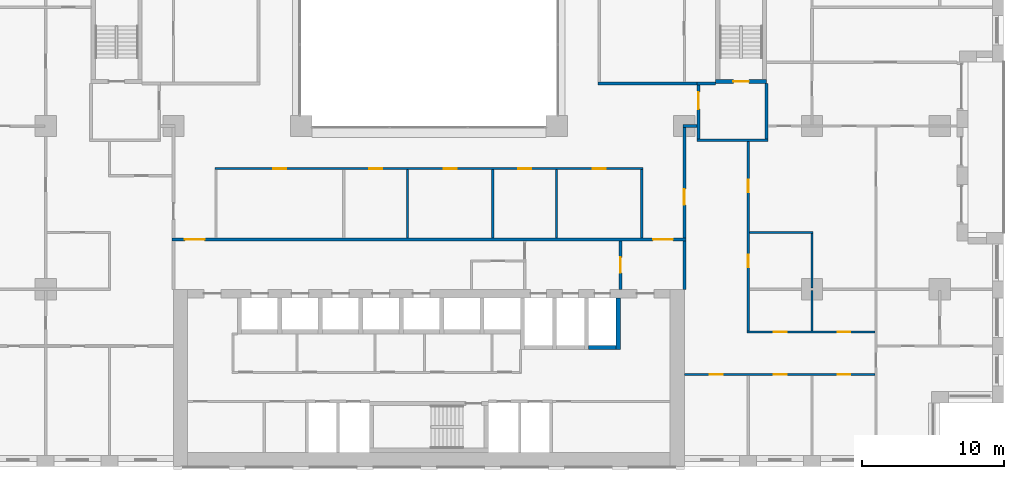
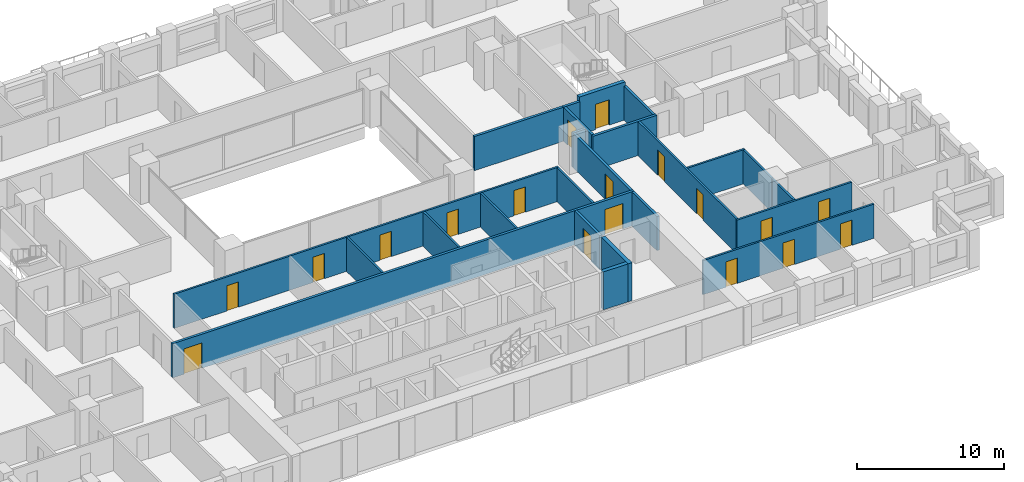
# One storey, part 12 of 21: 24 walls, 18 doors, 18 openings.
"""IFC4 building model written with IfcOpenShell, lengths in metres."""

from ifc_helpers import new_model, si_unit, direction, frame, frame_2d, origin, place, context, subcontext, project, spatial, rectangle, extrude, material, layer, layer_set, type_object, element, fill, save


model = new_model("IFC4")

# Units and contexts
model_context = context("Model", 3, precision=1e-05, world=origin(), true_north=direction((0.0, 1.0)))
body_context = subcontext(model_context, "Body", "Model", "MODEL_VIEW")
ifc_project = project(units=[si_unit("LENGTHUNIT", "METRE"), si_unit("AREAUNIT", "SQUARE_METRE"), si_unit("VOLUMEUNIT", "CUBIC_METRE"), si_unit("PLANEANGLEUNIT", "RADIAN"), si_unit("MASSUNIT", "GRAM", prefix="KILO")], contexts=[model_context])

# Site, building, storey
site_placement = place(None, origin())
site = spatial("IfcSite", under=ifc_project, at=site_placement, CompositionType="ELEMENT")
building_placement = place(site_placement, origin())
building = spatial("IfcBuilding", under=site, at=building_placement, Name="Brigalow Station Residences", CompositionType="ELEMENT")
storey_placement = place(building_placement, frame((0.0, 0.0, 47.85009765625)))
storey = spatial("IfcBuildingStorey", under=building, at=storey_placement, Name="L13", CompositionType="ELEMENT", Elevation=47.85009765625)

# Walls
ifc_material_1 = material(Name="Concrete C80", Category="concrete")
ifc_layer_1 = layer(ifc_material_1, 0.300048828125)
ifc_layer_set_1 = layer_set([ifc_layer_1], Name="CORE SHEAR WALL 300 C80")
wall_type_1 = type_object("IfcWallType", Name="CORE SHEAR WALL 300 C80", PredefinedType="SHEAR", material=ifc_layer_set_1)
wall_1_placement = place(storey_placement, frame((47.25, 8.39990234375, 0.0), z_axis=(0.0, 0.0, 1.0), x_axis=(1.0, 0.0, 0.0)))
element("IfcWall", 1, at=wall_1_placement, inside=storey, type_object=wall_type_1, Name="CORE WALL SH-SL1-S L13", PredefinedType="SHEAR", context=body_context, shape_type="SweptSolid", body=[
    extrude(rectangle(XDim=1.949951171875, YDim=0.300048828125, at=frame_2d((0.97509765625, 0.0))), origin(), (0.0, 0.0, 1.0), 3.14990234375),
])
wall_2_placement = place(storey_placement, frame((49.35009765625, 8.25, 0.0), z_axis=(0.0, 0.0, 1.0), x_axis=(0.0, 1.0, 0.0)))
element("IfcWall", 2, at=wall_2_placement, inside=storey, type_object=wall_type_1, Name="CORE WALL SH-SL1-E L13", PredefinedType="SHEAR", context=body_context, shape_type="SweptSolid", body=[
    extrude(rectangle(XDim=3.64990234375, YDim=0.300048828125, at=frame_2d((1.824951171875, 0.0))), origin(), (0.0, 0.0, 1.0), 3.14990234375),
])

# Wall, opening, door
wall_3_placement = place(storey_placement, frame((56.199951171875, 27.14990234375, 0.0), z_axis=(0.0, 0.0, 1.0), x_axis=(1.0, 0.0, 0.0)))
wall_3 = element("IfcWall", 3, at=wall_3_placement, inside=storey, type_object=wall_type_1, Name="CORE WALL ST-S3-S L13", PredefinedType="SHEAR", context=body_context, shape_type="SweptSolid", body=[
    extrude(rectangle(XDim=3.60009765625, YDim=0.300048828125, at=frame_2d((1.800048828125, 0.0))), origin(), (0.0, 0.0, 1.0), 3.14990234375),
])
opening_1_placement = place(wall_3_placement, frame((1.25, 0.0, 0.0)))
opening_1 = element("IfcOpeningElement", 4, at=opening_1_placement, cuts=wall_3, Name="Opening D-5018", PredefinedType="OPENING", context=body_context, shape_type="SweptSolid", body=[
    extrude(rectangle(XDim=1.10009765625, YDim=2.10009765625, at=frame_2d((0.550048828125, 1.050048828125))), frame((0.0, 0.16015625, 0.0), z_axis=(0.0, -1.0, 0.0), x_axis=(1.0, 0.0, 0.0)), (0.0, 0.0, 1.0), 0.320068359375),
])
ifc_material_2 = material(Name="Steel fire door leaf in steel frame", Category="steel")
door_type_1 = type_object("IfcDoorType", Name="STAIR DOOR 1100 x 2100 FD60S", OperationType="SINGLE_SWING_LEFT", PredefinedType="DOOR", material=ifc_material_2)
door_1_placement = place(opening_1_placement, origin())
door_1 = element("IfcDoor", 5, at=door_1_placement, inside=storey, type_object=door_type_1, Name="D-5018", OperationType="SINGLE_SWING_LEFT", OverallHeight=2.10009765625, OverallWidth=1.10009765625, PredefinedType="DOOR", context=body_context, shape_type="SweptSolid", body=[
    extrude(rectangle(XDim=1.10009765625, YDim=2.10009765625, at=frame_2d((0.550048828125, 1.050048828125))), frame((0.0, 0.02490234375, 0.0), z_axis=(0.0, -1.0, 0.0), x_axis=(1.0, 0.0, 0.0)), (0.0, 0.0, 1.0), 0.050048828125),
])
fill(opening_1, door_1)

# Walls
ifc_material_3 = material(Name="Concrete blockwork", Category="masonry")
ifc_layer_2 = layer(ifc_material_3, 0.199951171875)
ifc_layer_set_2 = layer_set([ifc_layer_2], Name="FIRE RATED CORE PARTITION 200")
wall_type_2 = type_object("IfcWallType", Name="FIRE RATED CORE PARTITION 200", PredefinedType="PARTITIONING", material=ifc_layer_set_2)
wall_4_placement = place(storey_placement, frame((54.89990234375, 23.0, 0.0), z_axis=(0.0, 0.0, 1.0), x_axis=(1.0, 0.0, 0.0)))
element("IfcWall", 6, at=wall_4_placement, inside=storey, type_object=wall_type_2, Name="PW-5024", PredefinedType="PARTITIONING", context=body_context, shape_type="SweptSolid", body=[
    extrude(rectangle(XDim=5.0, YDim=0.199951171875, at=frame_2d((2.5, 0.0))), origin(), (0.0, 0.0, 1.0), 2.829833984375),
])
wall_5_placement = place(storey_placement, frame((54.89990234375, 27.0, 0.0), z_axis=(0.0, 0.0, 1.0), x_axis=(1.0, 0.0, 0.0)))
element("IfcWall", 7, at=wall_5_placement, inside=storey, type_object=wall_type_2, Name="PW-5026", PredefinedType="PARTITIONING", context=body_context, shape_type="SweptSolid", body=[
    extrude(rectangle(XDim=1.300048828125, YDim=0.199951171875, at=frame_2d((0.64990234375, 0.0))), origin(), (0.0, 0.0, 1.0), 2.829833984375),
])

# Wall, opening, door
wall_6_placement = place(storey_placement, frame((49.5, 12.5, 0.0), z_axis=(0.0, 0.0, 1.0), x_axis=(0.0, 1.0, 0.0)))
wall_6 = element("IfcWall", 8, at=wall_6_placement, inside=storey, type_object=wall_type_2, Name="PW-5015", PredefinedType="PARTITIONING", context=body_context, shape_type="SweptSolid", body=[
    extrude(rectangle(XDim=3.39990234375, YDim=0.199951171875, at=frame_2d((1.699951171875, 0.0))), origin(), (0.0, 0.0, 1.0), 2.829833984375),
])
opening_2_placement = place(wall_6_placement, frame((1.14990234375, 0.0, 0.0)))
opening_2 = element("IfcOpeningElement", 9, at=opening_2_placement, cuts=wall_6, Name="Opening D-5014", PredefinedType="OPENING", context=body_context, shape_type="SweptSolid", body=[
    extrude(rectangle(XDim=1.10009765625, YDim=2.10009765625, at=frame_2d((0.550048828125, 1.050048828125))), frame((0.0, 0.10986328125, 0.0), z_axis=(0.0, -1.0, 0.0), x_axis=(1.0, 0.0, 0.0)), (0.0, 0.0, 1.0), 0.219970703125),
])
ifc_material_4 = material(Name="Steel fire door leaf in steel frame", Category="steel")
door_type_2 = type_object("IfcDoorType", Name="LOBBY DOOR 1100 x 2100 FD60S", OperationType="SINGLE_SWING_LEFT", PredefinedType="DOOR", material=ifc_material_4)
door_2_placement = place(opening_2_placement, origin())
door_2 = element("IfcDoor", 10, at=door_2_placement, inside=storey, type_object=door_type_2, Name="D-5014", OperationType="SINGLE_SWING_LEFT", OverallHeight=2.10009765625, OverallWidth=1.10009765625, PredefinedType="DOOR", context=body_context, shape_type="SweptSolid", body=[
    extrude(rectangle(XDim=1.10009765625, YDim=2.10009765625, at=frame_2d((0.550048828125, 1.050048828125))), frame((0.0, 0.02490234375, 0.0), z_axis=(0.0, -1.0, 0.0), x_axis=(1.0, 0.0, 0.0)), (0.0, 0.0, 1.0), 0.050048828125),
])
fill(opening_2, door_2)

# Wall
wall_7_placement = place(storey_placement, frame((54.0, 12.5, 0.0), z_axis=(0.0, 0.0, 1.0), x_axis=(0.0, 1.0, 0.0)))
element("IfcWall", 11, at=wall_7_placement, inside=storey, type_object=wall_type_2, Name="PW-5016", PredefinedType="PARTITIONING", context=body_context, shape_type="SweptSolid", body=[
    extrude(rectangle(XDim=3.39990234375, YDim=0.199951171875, at=frame_2d((1.699951171875, 0.0))), origin(), (0.0, 0.0, 1.0), 2.829833984375),
])

# Wall, opening, door
wall_8_placement = place(storey_placement, frame((55.0, 23.10009765625, 0.0), z_axis=(0.0, 0.0, 1.0), x_axis=(0.0, 1.0, 0.0)))
wall_8 = element("IfcWall", 12, at=wall_8_placement, inside=storey, type_object=wall_type_2, Name="PW-5036", PredefinedType="PARTITIONING", context=body_context, shape_type="SweptSolid", body=[
    extrude(rectangle(XDim=3.7998046875, YDim=0.199951171875, at=frame_2d((1.89990234375, 0.0))), origin(), (0.0, 0.0, 1.0), 2.829833984375),
])
opening_3_placement = place(wall_8_placement, frame((2.10009765625, 0.0, 0.0)))
opening_3 = element("IfcOpeningElement", 13, at=opening_3_placement, cuts=wall_8, Name="Opening D-5019", PredefinedType="OPENING", context=body_context, shape_type="SweptSolid", body=[
    extrude(rectangle(XDim=1.199951171875, YDim=2.10009765625, at=frame_2d((0.60009765625, 1.050048828125))), frame((0.0, 0.10986328125, 0.0), z_axis=(0.0, -1.0, 0.0), x_axis=(1.0, 0.0, 0.0)), (0.0, 0.0, 1.0), 0.219970703125),
])
ifc_material_5 = material(Name="Steel fire door leaf in steel frame", Category="steel")
door_type_3 = type_object("IfcDoorType", Name="STAIR LOBBY DOOR 1200 x 2100 FD60S", OperationType="SINGLE_SWING_LEFT", PredefinedType="DOOR", material=ifc_material_5)
door_3_placement = place(opening_3_placement, frame((1.199951171875, 0.0, 0.0), z_axis=(0.0, 0.0, 1.0), x_axis=(-1.0, 0.0, 0.0)))
door_3 = element("IfcDoor", 14, at=door_3_placement, inside=storey, type_object=door_type_3, Name="D-5019", OperationType="SINGLE_SWING_LEFT", OverallHeight=2.10009765625, OverallWidth=1.199951171875, PredefinedType="DOOR", context=body_context, shape_type="SweptSolid", body=[
    extrude(rectangle(XDim=1.199951171875, YDim=2.10009765625, at=frame_2d((0.60009765625, 1.050048828125))), frame((0.0, 0.02490234375, 0.0), z_axis=(0.0, -1.0, 0.0), x_axis=(1.0, 0.0, 0.0)), (0.0, 0.0, 1.0), 0.050048828125),
])
fill(opening_3, door_3)

# Wall
wall_9_placement = place(storey_placement, frame((59.800048828125, 23.10009765625, 0.0), z_axis=(0.0, 0.0, 1.0), x_axis=(0.0, 1.0, 0.0)))
element("IfcWall", 15, at=wall_9_placement, inside=storey, type_object=wall_type_2, Name="PW-5037", PredefinedType="PARTITIONING", context=body_context, shape_type="SweptSolid", body=[
    extrude(rectangle(XDim=3.89990234375, YDim=0.199951171875, at=frame_2d((1.949951171875, 0.0))), origin(), (0.0, 0.0, 1.0), 2.829833984375),
])

# Wall, openings, doors
ifc_material_6 = material(Name="Plasterboard on steel stud partition", Category="steel")
ifc_layer_3 = layer(ifc_material_6, 0.14990234375)
ifc_layer_set_3 = layer_set([ifc_layer_3], Name="FLAT PARTITION 150")
wall_type_3 = type_object("IfcWallType", Name="FLAT PARTITION 150", PredefinedType="PARTITIONING", material=ifc_layer_set_3)
wall_10_placement = place(storey_placement, frame((20.925048828125, 21.0, 0.0), z_axis=(0.0, 0.0, 1.0), x_axis=(1.0, 0.0, 0.0)))
wall_10 = element("IfcWall", 16, at=wall_10_placement, inside=storey, type_object=wall_type_3, Name="PW-1D01", PredefinedType="PARTITIONING", context=body_context, shape_type="SweptSolid", body=[
    extrude(rectangle(XDim=30.14990234375, YDim=0.14990234375, at=frame_2d((15.074951171875, 0.0))), origin(), (0.0, 0.0, 1.0), 2.829833984375),
])
opening_4_placement = place(wall_10_placement, frame((4.125, 0.0, 0.0)))
opening_4 = element("IfcOpeningElement", 17, at=opening_4_placement, cuts=wall_10, Name="Opening D-1D67", PredefinedType="OPENING", context=body_context, shape_type="SweptSolid", body=[
    extrude(rectangle(XDim=0.89990234375, YDim=2.10009765625, at=frame_2d((0.449951171875, 1.050048828125))), frame((0.0, 0.0849609375, 0.0), z_axis=(0.0, -1.0, 0.0), x_axis=(1.0, 0.0, 0.0)), (0.0, 0.0, 1.0), 0.169921875),
])
opening_5_placement = place(wall_10_placement, frame((10.875, 0.0, 0.0)))
opening_5 = element("IfcOpeningElement", 18, at=opening_5_placement, cuts=wall_10, Name="Opening D-1D68", PredefinedType="OPENING", context=body_context, shape_type="SweptSolid", body=[
    extrude(rectangle(XDim=0.89990234375, YDim=2.10009765625, at=frame_2d((0.449951171875, 1.050048828125))), frame((0.0, 0.0849609375, 0.0), z_axis=(0.0, -1.0, 0.0), x_axis=(1.0, 0.0, 0.0)), (0.0, 0.0, 1.0), 0.169921875),
])
opening_6_placement = place(wall_10_placement, frame((16.125, 0.0, 0.0)))
opening_6 = element("IfcOpeningElement", 19, at=opening_6_placement, cuts=wall_10, Name="Opening D-1D69", PredefinedType="OPENING", context=body_context, shape_type="SweptSolid", body=[
    extrude(rectangle(XDim=0.89990234375, YDim=2.10009765625, at=frame_2d((0.449951171875, 1.050048828125))), frame((0.0, 0.0849609375, 0.0), z_axis=(0.0, -1.0, 0.0), x_axis=(1.0, 0.0, 0.0)), (0.0, 0.0, 1.0), 0.169921875),
])
opening_7_placement = place(wall_10_placement, frame((21.375, 0.0, 0.0)))
opening_7 = element("IfcOpeningElement", 20, at=opening_7_placement, cuts=wall_10, Name="Opening D-1D70", PredefinedType="OPENING", context=body_context, shape_type="SweptSolid", body=[
    extrude(rectangle(XDim=0.89990234375, YDim=2.10009765625, at=frame_2d((0.449951171875, 1.050048828125))), frame((0.0, 0.0849609375, 0.0), z_axis=(0.0, -1.0, 0.0), x_axis=(1.0, 0.0, 0.0)), (0.0, 0.0, 1.0), 0.169921875),
])
opening_8_placement = place(wall_10_placement, frame((26.625, 0.0, 0.0)))
opening_8 = element("IfcOpeningElement", 21, at=opening_8_placement, cuts=wall_10, Name="Opening D-1D71", PredefinedType="OPENING", context=body_context, shape_type="SweptSolid", body=[
    extrude(rectangle(XDim=0.89990234375, YDim=2.10009765625, at=frame_2d((0.449951171875, 1.050048828125))), frame((0.0, 0.0849609375, 0.0), z_axis=(0.0, -1.0, 0.0), x_axis=(1.0, 0.0, 0.0)), (0.0, 0.0, 1.0), 0.169921875),
])
ifc_material_7 = material(Name="Solid-core timber door leaf", Category="wood")
door_type_4 = type_object("IfcDoorType", Name="INTERNAL DOOR 900 x 2100", OperationType="SINGLE_SWING_LEFT", PredefinedType="DOOR", material=ifc_material_7)
door_4_placement = place(opening_4_placement, frame((0.89990234375, 0.0, 0.0), z_axis=(0.0, 0.0, 1.0), x_axis=(-1.0, 0.0, 0.0)))
door_4 = element("IfcDoor", 22, at=door_4_placement, inside=storey, type_object=door_type_4, Name="D-1D67", OperationType="SINGLE_SWING_LEFT", OverallHeight=2.10009765625, OverallWidth=0.89990234375, PredefinedType="DOOR", context=body_context, shape_type="SweptSolid", body=[
    extrude(rectangle(XDim=0.89990234375, YDim=2.10009765625, at=frame_2d((0.449951171875, 1.050048828125))), frame((0.0, 0.02490234375, 0.0), z_axis=(0.0, -1.0, 0.0), x_axis=(1.0, 0.0, 0.0)), (0.0, 0.0, 1.0), 0.050048828125),
])
fill(opening_4, door_4)
door_5_placement = place(opening_5_placement, frame((0.89990234375, 0.0, 0.0), z_axis=(0.0, 0.0, 1.0), x_axis=(-1.0, 0.0, 0.0)))
door_5 = element("IfcDoor", 23, at=door_5_placement, inside=storey, type_object=door_type_4, Name="D-1D68", OperationType="SINGLE_SWING_LEFT", OverallHeight=2.10009765625, OverallWidth=0.89990234375, PredefinedType="DOOR", context=body_context, shape_type="SweptSolid", body=[
    extrude(rectangle(XDim=0.89990234375, YDim=2.10009765625, at=frame_2d((0.449951171875, 1.050048828125))), frame((0.0, 0.02490234375, 0.0), z_axis=(0.0, -1.0, 0.0), x_axis=(1.0, 0.0, 0.0)), (0.0, 0.0, 1.0), 0.050048828125),
])
fill(opening_5, door_5)
door_6_placement = place(opening_6_placement, frame((0.89990234375, 0.0, 0.0), z_axis=(0.0, 0.0, 1.0), x_axis=(-1.0, 0.0, 0.0)))
door_6 = element("IfcDoor", 24, at=door_6_placement, inside=storey, type_object=door_type_4, Name="D-1D69", OperationType="SINGLE_SWING_RIGHT", OverallHeight=2.10009765625, OverallWidth=0.89990234375, PredefinedType="DOOR", context=body_context, shape_type="SweptSolid", body=[
    extrude(rectangle(XDim=0.89990234375, YDim=2.10009765625, at=frame_2d((0.449951171875, 1.050048828125))), frame((0.0, 0.02490234375, 0.0), z_axis=(0.0, -1.0, 0.0), x_axis=(1.0, 0.0, 0.0)), (0.0, 0.0, 1.0), 0.050048828125),
])
fill(opening_6, door_6)
door_7_placement = place(opening_7_placement, frame((0.89990234375, 0.0, 0.0), z_axis=(0.0, 0.0, 1.0), x_axis=(-1.0, 0.0, 0.0)))
door_7 = element("IfcDoor", 25, at=door_7_placement, inside=storey, type_object=door_type_4, Name="D-1D70", OperationType="SINGLE_SWING_LEFT", OverallHeight=2.10009765625, OverallWidth=0.89990234375, PredefinedType="DOOR", context=body_context, shape_type="SweptSolid", body=[
    extrude(rectangle(XDim=0.89990234375, YDim=2.10009765625, at=frame_2d((0.449951171875, 1.050048828125))), frame((0.0, 0.02490234375, 0.0), z_axis=(0.0, -1.0, 0.0), x_axis=(1.0, 0.0, 0.0)), (0.0, 0.0, 1.0), 0.050048828125),
])
fill(opening_7, door_7)
door_8_placement = place(opening_8_placement, frame((0.89990234375, 0.0, 0.0), z_axis=(0.0, 0.0, 1.0), x_axis=(-1.0, 0.0, 0.0)))
door_8 = element("IfcDoor", 26, at=door_8_placement, inside=storey, type_object=door_type_4, Name="D-1D71", OperationType="SINGLE_SWING_LEFT", OverallHeight=2.10009765625, OverallWidth=0.89990234375, PredefinedType="DOOR", context=body_context, shape_type="SweptSolid", body=[
    extrude(rectangle(XDim=0.89990234375, YDim=2.10009765625, at=frame_2d((0.449951171875, 1.050048828125))), frame((0.0, 0.02490234375, 0.0), z_axis=(0.0, -1.0, 0.0), x_axis=(1.0, 0.0, 0.0)), (0.0, 0.0, 1.0), 0.050048828125),
])
fill(opening_8, door_8)

# Wall
wall_11_placement = place(storey_placement, frame((58.574951171875, 16.5, 0.0), z_axis=(0.0, 0.0, 1.0), x_axis=(1.0, 0.0, 0.0)))
element("IfcWall", 27, at=wall_11_placement, inside=storey, type_object=wall_type_3, Name="PW-1D17", PredefinedType="PARTITIONING", context=body_context, shape_type="SweptSolid", body=[
    extrude(rectangle(XDim=4.5, YDim=0.14990234375, at=frame_2d((2.25, 0.0))), origin(), (0.0, 0.0, 1.0), 2.829833984375),
])

# Wall, openings, doors
wall_12_placement = place(storey_placement, frame((54.0, 6.5, 0.0), z_axis=(0.0, 0.0, 1.0), x_axis=(1.0, 0.0, 0.0)))
wall_12 = element("IfcWall", 28, at=wall_12_placement, inside=storey, type_object=wall_type_3, Name="PW-1D33", PredefinedType="PARTITIONING", context=body_context, shape_type="SweptSolid", body=[
    extrude(rectangle(XDim=13.425048828125, YDim=0.14990234375, at=frame_2d((6.71240234375, 0.0))), origin(), (0.0, 0.0, 1.0), 2.829833984375),
])
opening_9_placement = place(wall_12_placement, frame((1.800048828125, 0.0, 0.0)))
opening_9 = element("IfcOpeningElement", 29, at=opening_9_placement, cuts=wall_12, Name="Opening D-1D50", PredefinedType="OPENING", context=body_context, shape_type="SweptSolid", body=[
    extrude(rectangle(XDim=0.89990234375, YDim=2.10009765625, at=frame_2d((0.449951171875, 1.050048828125))), frame((0.0, 0.0849609375, 0.0), z_axis=(0.0, -1.0, 0.0), x_axis=(1.0, 0.0, 0.0)), (0.0, 0.0, 1.0), 0.169921875),
])
opening_10_placement = place(wall_12_placement, frame((6.300048828125, 0.0, 0.0)))
opening_10 = element("IfcOpeningElement", 30, at=opening_10_placement, cuts=wall_12, Name="Opening D-1D51", PredefinedType="OPENING", context=body_context, shape_type="SweptSolid", body=[
    extrude(rectangle(XDim=0.89990234375, YDim=2.10009765625, at=frame_2d((0.449951171875, 1.050048828125))), frame((0.0, 0.0849609375, 0.0), z_axis=(0.0, -1.0, 0.0), x_axis=(1.0, 0.0, 0.0)), (0.0, 0.0, 1.0), 0.169921875),
])
opening_11_placement = place(wall_12_placement, frame((10.800048828125, 0.0, 0.0)))
opening_11 = element("IfcOpeningElement", 31, at=opening_11_placement, cuts=wall_12, Name="Opening D-1D52", PredefinedType="OPENING", context=body_context, shape_type="SweptSolid", body=[
    extrude(rectangle(XDim=0.89990234375, YDim=2.10009765625, at=frame_2d((0.449951171875, 1.050048828125))), frame((0.0, 0.0849609375, 0.0), z_axis=(0.0, -1.0, 0.0), x_axis=(1.0, 0.0, 0.0)), (0.0, 0.0, 1.0), 0.169921875),
])
door_9_placement = place(opening_9_placement, frame((0.89990234375, 0.0, 0.0), z_axis=(0.0, 0.0, 1.0), x_axis=(-1.0, 0.0, 0.0)))
door_9 = element("IfcDoor", 32, at=door_9_placement, inside=storey, type_object=door_type_4, Name="D-1D50", OperationType="SINGLE_SWING_LEFT", OverallHeight=2.10009765625, OverallWidth=0.89990234375, PredefinedType="DOOR", context=body_context, shape_type="SweptSolid", body=[
    extrude(rectangle(XDim=0.89990234375, YDim=2.10009765625, at=frame_2d((0.449951171875, 1.050048828125))), frame((0.0, 0.02490234375, 0.0), z_axis=(0.0, -1.0, 0.0), x_axis=(1.0, 0.0, 0.0)), (0.0, 0.0, 1.0), 0.050048828125),
])
fill(opening_9, door_9)
door_10_placement = place(opening_10_placement, frame((0.89990234375, 0.0, 0.0), z_axis=(0.0, 0.0, 1.0), x_axis=(-1.0, 0.0, 0.0)))
door_10 = element("IfcDoor", 33, at=door_10_placement, inside=storey, type_object=door_type_4, Name="D-1D51", OperationType="SINGLE_SWING_LEFT", OverallHeight=2.10009765625, OverallWidth=0.89990234375, PredefinedType="DOOR", context=body_context, shape_type="SweptSolid", body=[
    extrude(rectangle(XDim=0.89990234375, YDim=2.10009765625, at=frame_2d((0.449951171875, 1.050048828125))), frame((0.0, 0.02490234375, 0.0), z_axis=(0.0, -1.0, 0.0), x_axis=(1.0, 0.0, 0.0)), (0.0, 0.0, 1.0), 0.050048828125),
])
fill(opening_10, door_10)
door_11_placement = place(opening_11_placement, frame((0.89990234375, 0.0, 0.0), z_axis=(0.0, 0.0, 1.0), x_axis=(-1.0, 0.0, 0.0)))
door_11 = element("IfcDoor", 34, at=door_11_placement, inside=storey, type_object=door_type_4, Name="D-1D52", OperationType="SINGLE_SWING_LEFT", OverallHeight=2.10009765625, OverallWidth=0.89990234375, PredefinedType="DOOR", context=body_context, shape_type="SweptSolid", body=[
    extrude(rectangle(XDim=0.89990234375, YDim=2.10009765625, at=frame_2d((0.449951171875, 1.050048828125))), frame((0.0, 0.02490234375, 0.0), z_axis=(0.0, -1.0, 0.0), x_axis=(1.0, 0.0, 0.0)), (0.0, 0.0, 1.0), 0.050048828125),
])
fill(opening_11, door_11)

wall_13_placement = place(storey_placement, frame((58.425048828125, 9.5, 0.0), z_axis=(0.0, 0.0, 1.0), x_axis=(1.0, 0.0, 0.0)))
wall_13 = element("IfcWall", 35, at=wall_13_placement, inside=storey, type_object=wall_type_3, Name="PW-1D34", PredefinedType="PARTITIONING", context=body_context, shape_type="SweptSolid", body=[
    extrude(rectangle(XDim=9.0, YDim=0.14990234375, at=frame_2d((4.5, 0.0))), origin(), (0.0, 0.0, 1.0), 2.829833984375),
])
opening_12_placement = place(wall_13_placement, frame((6.375, 0.0, 0.0)))
opening_12 = element("IfcOpeningElement", 36, at=opening_12_placement, cuts=wall_13, Name="Opening D-1D60", PredefinedType="OPENING", context=body_context, shape_type="SweptSolid", body=[
    extrude(rectangle(XDim=0.89990234375, YDim=2.10009765625, at=frame_2d((0.449951171875, 1.050048828125))), frame((0.0, 0.0849609375, 0.0), z_axis=(0.0, -1.0, 0.0), x_axis=(1.0, 0.0, 0.0)), (0.0, 0.0, 1.0), 0.169921875),
])
opening_13_placement = place(wall_13_placement, frame((1.875, 0.0, 0.0)))
opening_13 = element("IfcOpeningElement", 37, at=opening_13_placement, cuts=wall_13, Name="Opening D-1D62", PredefinedType="OPENING", context=body_context, shape_type="SweptSolid", body=[
    extrude(rectangle(XDim=0.89990234375, YDim=2.10009765625, at=frame_2d((0.449951171875, 1.050048828125))), frame((0.0, 0.0849609375, 0.0), z_axis=(0.0, -1.0, 0.0), x_axis=(1.0, 0.0, 0.0)), (0.0, 0.0, 1.0), 0.169921875),
])
door_12_placement = place(opening_12_placement, origin())
door_12 = element("IfcDoor", 38, at=door_12_placement, inside=storey, type_object=door_type_4, Name="D-1D60", OperationType="SINGLE_SWING_RIGHT", OverallHeight=2.10009765625, OverallWidth=0.89990234375, PredefinedType="DOOR", context=body_context, shape_type="SweptSolid", body=[
    extrude(rectangle(XDim=0.89990234375, YDim=2.10009765625, at=frame_2d((0.449951171875, 1.050048828125))), frame((0.0, 0.02490234375, 0.0), z_axis=(0.0, -1.0, 0.0), x_axis=(1.0, 0.0, 0.0)), (0.0, 0.0, 1.0), 0.050048828125),
])
fill(opening_12, door_12)
door_13_placement = place(opening_13_placement, origin())
door_13 = element("IfcDoor", 39, at=door_13_placement, inside=storey, type_object=door_type_4, Name="D-1D62", OperationType="SINGLE_SWING_RIGHT", OverallHeight=2.10009765625, OverallWidth=0.89990234375, PredefinedType="DOOR", context=body_context, shape_type="SweptSolid", body=[
    extrude(rectangle(XDim=0.89990234375, YDim=2.10009765625, at=frame_2d((0.449951171875, 1.050048828125))), frame((0.0, 0.02490234375, 0.0), z_axis=(0.0, -1.0, 0.0), x_axis=(1.0, 0.0, 0.0)), (0.0, 0.0, 1.0), 0.050048828125),
])
fill(opening_13, door_13)

# Walls
for number, where, z_axis, x_axis, name in (
    (40, (51.0, 16.10009765625, 0.0), (0.0, 0.0, 1.0), (0.0, 1.0, 0.0), "PW-1D43"),
    (41, (40.5, 16.10009765625, 0.0), (0.0, 0.0, 1.0), (0.0, 1.0, 0.0), "PW-1D63"),
    (42, (45.0, 16.10009765625, 0.0), (0.0, 0.0, 1.0), (0.0, 1.0, 0.0), "PW-1D65"),
):
    element("IfcWall", number, at=place(storey_placement, frame(where, z_axis=z_axis, x_axis=x_axis)), inside=storey, type_object=wall_type_3, Name=name, PredefinedType="PARTITIONING", context=body_context, shape_type="SweptSolid", body=[
        extrude(rectangle(XDim=4.824951171875, YDim=0.14990234375, at=frame_2d((2.41259765625, 0.0))), origin(), (0.0, 0.0, 1.0), 2.829833984375),
    ])
wall_14_placement = place(storey_placement, frame((63.0, 9.574951171875, 0.0), z_axis=(0.0, 0.0, 1.0), x_axis=(0.0, 1.0, 0.0)))
element("IfcWall", 43, at=wall_14_placement, inside=storey, type_object=wall_type_3, Name="PW-1D68", PredefinedType="PARTITIONING", context=body_context, shape_type="SweptSolid", body=[
    extrude(rectangle(XDim=2.85009765625, YDim=0.14990234375, at=frame_2d((1.425048828125, 0.0))), origin(), (0.0, 0.0, 1.0), 2.829833984375),
])
wall_15_placement = place(storey_placement, frame((63.0, 12.574951171875, 0.0), z_axis=(0.0, 0.0, 1.0), x_axis=(0.0, 1.0, 0.0)))
element("IfcWall", 44, at=wall_15_placement, inside=storey, type_object=wall_type_3, Name="PW-1D69", PredefinedType="PARTITIONING", context=body_context, shape_type="SweptSolid", body=[
    extrude(rectangle(XDim=3.85009765625, YDim=0.14990234375, at=frame_2d((1.925048828125, 0.0))), origin(), (0.0, 0.0, 1.0), 2.829833984375),
])

# Wall, openings, doors
wall_16_placement = place(storey_placement, frame((58.5, 9.574951171875, 0.0), z_axis=(0.0, 0.0, 1.0), x_axis=(0.0, 1.0, 0.0)))
wall_16 = element("IfcWall", 45, at=wall_16_placement, inside=storey, type_object=wall_type_3, Name="PW-1D83", PredefinedType="PARTITIONING", context=body_context, shape_type="SweptSolid", body=[
    extrude(rectangle(XDim=13.324951171875, YDim=0.14990234375, at=frame_2d((6.66259765625, 0.0))), origin(), (0.0, 0.0, 1.0), 2.829833984375),
])
opening_14_placement = place(wall_16_placement, frame((4.47509765625, 0.0, 0.0)))
opening_14 = element("IfcOpeningElement", 46, at=opening_14_placement, cuts=wall_16, Name="Opening D-1D49", PredefinedType="OPENING", context=body_context, shape_type="SweptSolid", body=[
    extrude(rectangle(XDim=0.89990234375, YDim=2.10009765625, at=frame_2d((0.449951171875, 1.050048828125))), frame((0.0, 0.0849609375, 0.0), z_axis=(0.0, -1.0, 0.0), x_axis=(1.0, 0.0, 0.0)), (0.0, 0.0, 1.0), 0.169921875),
])
opening_15_placement = place(wall_16_placement, frame((9.75, 0.0, 0.0)))
opening_15 = element("IfcOpeningElement", 47, at=opening_15_placement, cuts=wall_16, Name="Opening D-1D59", PredefinedType="OPENING", context=body_context, shape_type="SweptSolid", body=[
    extrude(rectangle(XDim=0.89990234375, YDim=2.10009765625, at=frame_2d((0.449951171875, 1.050048828125))), frame((0.0, 0.0849609375, 0.0), z_axis=(0.0, -1.0, 0.0), x_axis=(1.0, 0.0, 0.0)), (0.0, 0.0, 1.0), 0.169921875),
])
door_14_placement = place(opening_14_placement, frame((0.89990234375, 0.0, 0.0), z_axis=(0.0, 0.0, 1.0), x_axis=(-1.0, 0.0, 0.0)))
door_14 = element("IfcDoor", 48, at=door_14_placement, inside=storey, type_object=door_type_4, Name="D-1D49", OperationType="SINGLE_SWING_LEFT", OverallHeight=2.10009765625, OverallWidth=0.89990234375, PredefinedType="DOOR", context=body_context, shape_type="SweptSolid", body=[
    extrude(rectangle(XDim=0.89990234375, YDim=2.10009765625, at=frame_2d((0.449951171875, 1.050048828125))), frame((0.0, 0.02490234375, 0.0), z_axis=(0.0, -1.0, 0.0), x_axis=(1.0, 0.0, 0.0)), (0.0, 0.0, 1.0), 0.050048828125),
])
fill(opening_14, door_14)
door_15_placement = place(opening_15_placement, frame((0.89990234375, 0.0, 0.0), z_axis=(0.0, 0.0, 1.0), x_axis=(-1.0, 0.0, 0.0)))
door_15 = element("IfcDoor", 49, at=door_15_placement, inside=storey, type_object=door_type_4, Name="D-1D59", OperationType="SINGLE_SWING_LEFT", OverallHeight=2.10009765625, OverallWidth=0.89990234375, PredefinedType="DOOR", context=body_context, shape_type="SweptSolid", body=[
    extrude(rectangle(XDim=0.89990234375, YDim=2.10009765625, at=frame_2d((0.449951171875, 1.050048828125))), frame((0.0, 0.02490234375, 0.0), z_axis=(0.0, -1.0, 0.0), x_axis=(1.0, 0.0, 0.0)), (0.0, 0.0, 1.0), 0.050048828125),
])
fill(opening_15, door_15)

# Walls
wall_17_placement = place(storey_placement, frame((34.5, 16.10009765625, 0.0), z_axis=(0.0, 0.0, 1.0), x_axis=(0.0, 1.0, 0.0)))
element("IfcWall", 50, at=wall_17_placement, inside=storey, type_object=wall_type_3, Name="PW-1D85", PredefinedType="PARTITIONING", context=body_context, shape_type="SweptSolid", body=[
    extrude(rectangle(XDim=4.824951171875, YDim=0.14990234375, at=frame_2d((2.41259765625, 0.0))), origin(), (0.0, 0.0, 1.0), 2.829833984375),
])
ifc_material_8 = material(Name="Plasterboard on steel stud partition", Category="steel")
ifc_layer_4 = layer(ifc_material_8, 0.199951171875)
ifc_layer_set_4 = layer_set([ifc_layer_4], Name="PARTY AND CORRIDOR WALL 200")
wall_type_4 = type_object("IfcWallType", Name="PARTY AND CORRIDOR WALL 200", PredefinedType="PARTITIONING", material=ifc_layer_set_4)
wall_18_placement = place(storey_placement, frame((53.89990234375, 24.0, 0.0), z_axis=(0.0, 0.0, 1.0), x_axis=(1.0, 0.0, 0.0)))
element("IfcWall", 51, at=wall_18_placement, inside=storey, type_object=wall_type_4, Name="PW-1D05", PredefinedType="PARTITIONING", context=body_context, shape_type="SweptSolid", body=[
    extrude(rectangle(XDim=1.0, YDim=0.199951171875, at=frame_2d((0.5, 0.0))), origin(), (0.0, 0.0, 1.0), 2.829833984375),
])
wall_19_placement = place(storey_placement, frame((47.89990234375, 27.0, 0.0), z_axis=(0.0, 0.0, 1.0), x_axis=(1.0, 0.0, 0.0)))
element("IfcWall", 52, at=wall_19_placement, inside=storey, type_object=wall_type_4, Name="PW-1D07", PredefinedType="PARTITIONING", context=body_context, shape_type="SweptSolid", body=[
    extrude(rectangle(XDim=7.0, YDim=0.199951171875, at=frame_2d((3.5, 0.0))), origin(), (0.0, 0.0, 1.0), 2.829833984375),
])

# Wall, openings, doors
wall_20_placement = place(storey_placement, frame((17.89990234375, 16.0, 0.0), z_axis=(0.0, 0.0, 1.0), x_axis=(1.0, 0.0, 0.0)))
wall_20 = element("IfcWall", 53, at=wall_20_placement, inside=storey, type_object=wall_type_4, Name="PW-1D35", PredefinedType="PARTITIONING", context=body_context, shape_type="SweptSolid", body=[
    extrude(rectangle(XDim=36.2001953125, YDim=0.199951171875, at=frame_2d((18.10009765625, 0.0))), origin(), (0.0, 0.0, 1.0), 2.829833984375),
])
opening_16_placement = place(wall_20_placement, frame((0.89990234375, 0.0, 0.0)))
opening_16 = element("IfcOpeningElement", 54, at=opening_16_placement, cuts=wall_20, Name="Opening D-1D01", PredefinedType="OPENING", context=body_context, shape_type="SweptSolid", body=[
    extrude(rectangle(XDim=1.39990234375, YDim=2.10009765625, at=frame_2d((0.699951171875, 1.050048828125))), frame((0.0, 0.10986328125, 0.0), z_axis=(0.0, -1.0, 0.0), x_axis=(1.0, 0.0, 0.0)), (0.0, 0.0, 1.0), 0.219970703125),
])
opening_17_placement = place(wall_20_placement, frame((33.89990234375, 0.0, 0.0)))
opening_17 = element("IfcOpeningElement", 55, at=opening_17_placement, cuts=wall_20, Name="Opening D-1D02", PredefinedType="OPENING", context=body_context, shape_type="SweptSolid", body=[
    extrude(rectangle(XDim=1.39990234375, YDim=2.10009765625, at=frame_2d((0.699951171875, 1.050048828125))), frame((0.0, 0.10986328125, 0.0), z_axis=(0.0, -1.0, 0.0), x_axis=(1.0, 0.0, 0.0)), (0.0, 0.0, 1.0), 0.219970703125),
])
ifc_material_9 = material(Name="Solid-core timber door leaf", Category="wood")
door_type_5 = type_object("IfcDoorType", Name="CORRIDOR FIRE DOOR 1400 x 2100 FRL -/60/30", OperationType="DOUBLE_DOOR_SINGLE_SWING", PredefinedType="DOOR", material=ifc_material_9)
door_16_placement = place(opening_16_placement, frame((1.39990234375, 0.0, 0.0), z_axis=(0.0, 0.0, 1.0), x_axis=(-1.0, 0.0, 0.0)))
door_16 = element("IfcDoor", 56, at=door_16_placement, inside=storey, type_object=door_type_5, Name="D-1D01", OperationType="DOUBLE_DOOR_SINGLE_SWING", OverallHeight=2.10009765625, OverallWidth=1.39990234375, PredefinedType="DOOR", context=body_context, shape_type="SweptSolid", body=[
    extrude(rectangle(XDim=1.39990234375, YDim=2.10009765625, at=frame_2d((0.699951171875, 1.050048828125))), frame((0.0, 0.02490234375, 0.0), z_axis=(0.0, -1.0, 0.0), x_axis=(1.0, 0.0, 0.0)), (0.0, 0.0, 1.0), 0.050048828125),
])
fill(opening_16, door_16)
door_17_placement = place(opening_17_placement, frame((1.39990234375, 0.0, 0.0), z_axis=(0.0, 0.0, 1.0), x_axis=(-1.0, 0.0, 0.0)))
door_17 = element("IfcDoor", 57, at=door_17_placement, inside=storey, type_object=door_type_5, Name="D-1D02", OperationType="DOUBLE_DOOR_SINGLE_SWING", OverallHeight=2.10009765625, OverallWidth=1.39990234375, PredefinedType="DOOR", context=body_context, shape_type="SweptSolid", body=[
    extrude(rectangle(XDim=1.39990234375, YDim=2.10009765625, at=frame_2d((0.699951171875, 1.050048828125))), frame((0.0, 0.02490234375, 0.0), z_axis=(0.0, -1.0, 0.0), x_axis=(1.0, 0.0, 0.0)), (0.0, 0.0, 1.0), 0.050048828125),
])
fill(opening_17, door_17)

# Wall, opening, door
wall_21_placement = place(storey_placement, frame((54.0, 16.10009765625, 0.0), z_axis=(0.0, 0.0, 1.0), x_axis=(0.0, 1.0, 0.0)))
wall_21 = element("IfcWall", 58, at=wall_21_placement, inside=storey, type_object=wall_type_4, Name="PW-1D41", PredefinedType="PARTITIONING", context=body_context, shape_type="SweptSolid", body=[
    extrude(rectangle(XDim=7.7998046875, YDim=0.199951171875, at=frame_2d((3.89990234375, 0.0))), origin(), (0.0, 0.0, 1.0), 2.829833984375),
])
opening_18_placement = place(wall_21_placement, frame((2.35009765625, 0.0, 0.0)))
opening_18 = element("IfcOpeningElement", 59, at=opening_18_placement, cuts=wall_21, Name="Opening D-1D66", PredefinedType="OPENING", context=body_context, shape_type="SweptSolid", body=[
    extrude(rectangle(XDim=1.10009765625, YDim=2.10009765625, at=frame_2d((0.550048828125, 1.050048828125))), frame((0.0, 0.10986328125, 0.0), z_axis=(0.0, -1.0, 0.0), x_axis=(1.0, 0.0, 0.0)), (0.0, 0.0, 1.0), 0.219970703125),
])
ifc_material_10 = material(Name="Solid-core timber door leaf", Category="wood")
door_type_6 = type_object("IfcDoorType", Name="FLAT ENTRANCE DOOR 1100 x 2100 FRL -/60/30", OperationType="SINGLE_SWING_LEFT", PredefinedType="DOOR", material=ifc_material_10)
door_18_placement = place(opening_18_placement, frame((1.10009765625, 0.0, 0.0), z_axis=(0.0, 0.0, 1.0), x_axis=(-1.0, 0.0, 0.0)))
door_18 = element("IfcDoor", 60, at=door_18_placement, inside=storey, type_object=door_type_6, Name="D-1D66", OperationType="SINGLE_SWING_LEFT", OverallHeight=2.10009765625, OverallWidth=1.10009765625, PredefinedType="DOOR", context=body_context, shape_type="SweptSolid", body=[
    extrude(rectangle(XDim=1.10009765625, YDim=2.10009765625, at=frame_2d((0.550048828125, 1.050048828125))), frame((0.0, 0.02490234375, 0.0), z_axis=(0.0, -1.0, 0.0), x_axis=(1.0, 0.0, 0.0)), (0.0, 0.0, 1.0), 0.050048828125),
])
fill(opening_18, door_18)

save(model, "model.ifc")
